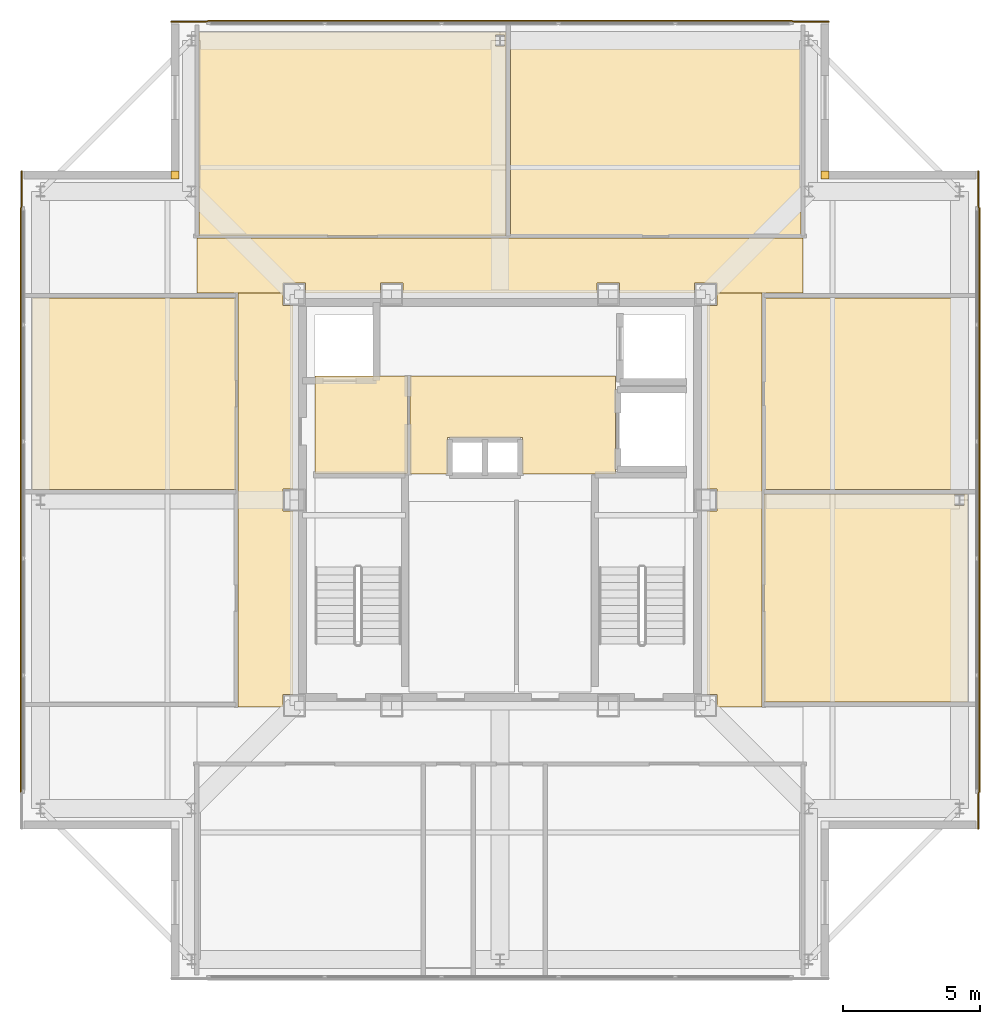
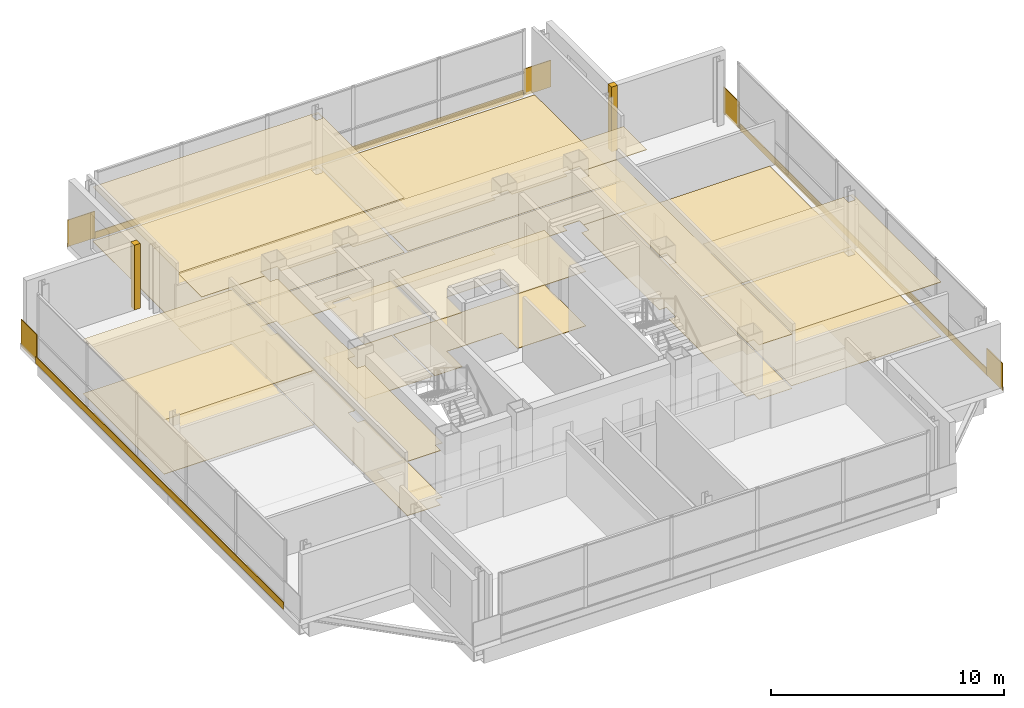
# One storey, part 12 of 12: 28 coverings.
"""IFC4 building model written with IfcOpenShell, lengths in metres."""

from ifc_helpers import new_model, si_unit, direction, frame, frame_2d, origin, place, context, subcontext, project, spatial, polyline, rectangle, outline, extrude, material, layer, layer_set, type_object, element, save


model = new_model("IFC4")

# Units and contexts
model_context = context("Model", 3, precision=1e-05, world=origin(), true_north=direction((0.0, 1.0)))
body_context = subcontext(model_context, "Body", "Model", "MODEL_VIEW")
ifc_project = project(units=[si_unit("LENGTHUNIT", "METRE"), si_unit("AREAUNIT", "SQUARE_METRE"), si_unit("VOLUMEUNIT", "CUBIC_METRE"), si_unit("PLANEANGLEUNIT", "RADIAN"), si_unit("MASSUNIT", "GRAM", prefix="KILO")], contexts=[model_context])

# Site, building, storey
site_placement = place(None, origin())
site = spatial("IfcSite", under=ifc_project, at=site_placement, CompositionType="ELEMENT")
building_placement = place(site_placement, origin())
building = spatial("IfcBuilding", under=site, at=building_placement, Name="Trevonay Congress Spire", CompositionType="ELEMENT")
storey_placement = place(building_placement, frame((0.0, 0.0, 304.60009765625)))
storey = spatial("IfcBuildingStorey", under=building, at=storey_placement, Name="L80", CompositionType="ELEMENT", Elevation=304.60009765625)

# Coverings
ifc_material_1 = material(Name="Acoustic Mineral Fibre Board", Category="gypsum")
ifc_layer_1 = layer(ifc_material_1, 0.02490234375, Name="Acoustic Mineral Fibre Board")
ifc_layer_set_1 = layer_set([ifc_layer_1], Name="Acoustic Mineral Fibre Board")
covering_type_1 = type_object("IfcCoveringType", Name="COV-CEIL-ACOUSTIC", PredefinedType="CEILING", material=ifc_layer_set_1)
covering_1_placement = place(storey_placement, frame((0.0, 0.0, 2.849853515625)))
element("IfcCovering", 1, at=covering_1_placement, inside=storey, type_object=covering_type_1, Name="L80 Firefighting Lift Lobby West acoustic suspended ceiling", PredefinedType="CEILING", context=body_context, shape_type="SweptSolid", body=[
    extrude(outline(polyline([(-6.75, 0.9599609375), (-3.3798828125, 0.9599609375), (-3.3798828125, 4.52001953125), (-6.75, 4.52001953125), (-6.75, 0.9599609375)])), origin(), (0.0, 0.0, 1.0), 0.025146484375),
])
covering_2_placement = place(storey_placement, frame((0.0, 0.0, 2.849853515625)))
element("IfcCovering", 2, at=covering_2_placement, inside=storey, type_object=covering_type_1, Name="L80 Central and High-Rise Passenger Lift Lobby acoustic suspended ceiling", PredefinedType="CEILING", context=body_context, shape_type="SweptSolid", body=[
    extrude(outline(polyline([(-3.280029296875, 0.949951171875), (-1.919921875, 0.949951171875), (-1.919921875, 2.280029296875), (0.820068359375, 2.280029296875), (0.820068359375, 0.949951171875), (4.219970703125, 0.949951171875), (4.219970703125, 4.52001953125), (-3.280029296875, 4.52001953125), (-3.280029296875, 0.949951171875)])), origin(), (0.0, 0.0, 1.0), 0.025146484375),
])
covering_3_placement = place(storey_placement, frame((0.0, 0.0, 2.849853515625)))
element("IfcCovering", 3, at=covering_3_placement, inside=storey, type_object=covering_type_1, Name="L80 Crown Gallery Corridor North acoustic suspended ceiling", PredefinedType="CEILING", context=body_context, shape_type="SweptSolid", body=[
    extrude(outline(polyline([(-11.050048828125, 7.550048828125), (-11.050048828125, 9.550048828125), (11.050048828125, 9.550048828125), (11.050048828125, 7.550048828125), (7.909912109375, 7.550048828125), (7.909912109375, 7.909912109375), (7.090087890625, 7.909912109375), (7.090087890625, 7.550048828125), (4.360107421875, 7.550048828125), (4.360107421875, 7.909912109375), (3.5400390625, 7.909912109375), (3.5400390625, 7.550048828125), (-3.5400390625, 7.550048828125), (-3.5400390625, 7.909912109375), (-4.360107421875, 7.909912109375), (-4.360107421875, 7.550048828125), (-7.090087890625, 7.550048828125), (-7.090087890625, 7.909912109375), (-7.909912109375, 7.909912109375), (-7.909912109375, 7.550048828125), (-11.050048828125, 7.550048828125)])), origin(), (0.0, 0.0, 1.0), 0.025146484375),
])
covering_4_placement = place(storey_placement, frame((0.0, 0.0, 2.849853515625)))
element("IfcCovering", 4, at=covering_4_placement, inside=storey, type_object=covering_type_1, Name="L80 Crown Gallery Corridor West acoustic suspended ceiling", PredefinedType="CEILING", context=body_context, shape_type="SweptSolid", body=[
    extrude(outline(polyline([(-9.550048828125, 7.550048828125), (-7.909912109375, 7.550048828125), (-7.909912109375, 7.090087890625), (-7.550048828125, 7.090087890625), (-7.550048828125, 0.409912109375), (-7.909912109375, 0.409912109375), (-7.909912109375, -0.409912109375), (-7.550048828125, -0.409912109375), (-7.550048828125, -7.090087890625), (-7.909912109375, -7.090087890625), (-7.909912109375, -7.550048828125), (-9.550048828125, -7.550048828125), (-9.550048828125, 7.550048828125)])), origin(), (0.0, 0.0, 1.0), 0.025146484375),
])
covering_5_placement = place(storey_placement, frame((0.0, 0.0, 2.849853515625)))
element("IfcCovering", 5, at=covering_5_placement, inside=storey, type_object=covering_type_1, Name="L80 Crown Gallery Corridor East acoustic suspended ceiling", PredefinedType="CEILING", context=body_context, shape_type="SweptSolid", body=[
    extrude(outline(polyline([(9.550048828125, -7.550048828125), (7.909912109375, -7.550048828125), (7.909912109375, -7.090087890625), (7.550048828125, -7.090087890625), (7.550048828125, -0.409912109375), (7.909912109375, -0.409912109375), (7.909912109375, 0.409912109375), (7.550048828125, 0.409912109375), (7.550048828125, 7.090087890625), (7.909912109375, 7.090087890625), (7.909912109375, 7.550048828125), (9.550048828125, 7.550048828125), (9.550048828125, -7.550048828125)])), origin(), (0.0, 0.0, 1.0), 0.025146484375),
])
covering_6_placement = place(storey_placement, frame((0.0, 0.0, 2.849853515625)))
element("IfcCovering", 6, at=covering_6_placement, inside=storey, type_object=covering_type_1, Name="L80 Sky Horizon Viewing Gallery acoustic suspended ceiling", PredefinedType="CEILING", context=body_context, shape_type="SweptSolid", body=[
    extrude(outline(polyline([(-10.969970703125, 17.050048828125), (0.219970703125, 17.050048828125), (0.219970703125, 9.6201171875), (-10.969970703125, 9.6201171875), (-10.969970703125, 17.050048828125)]), holes=[polyline([(0.1708984375, 16.553955078125), (0.1708984375, 16.946044921875), (-0.1708984375, 16.946044921875), (-0.1708984375, 16.553955078125), (0.1708984375, 16.553955078125)])]), origin(), (0.0, 0.0, 1.0), 0.025146484375),
])
covering_7_placement = place(storey_placement, frame((0.0, 0.0, 2.849853515625)))
element("IfcCovering", 7, at=covering_7_placement, inside=storey, type_object=covering_type_1, Name="L80 Catering Finishing Kitchen acoustic suspended ceiling", PredefinedType="CEILING", context=body_context, shape_type="SweptSolid", body=[
    extrude(outline(polyline([(-17.050048828125, 0.3798828125), (-9.6201171875, 0.3798828125), (-9.6201171875, 7.3701171875), (-17.050048828125, 7.3701171875), (-17.050048828125, 0.3798828125)])), origin(), (0.0, 0.0, 1.0), 0.025146484375),
])
covering_8_placement = place(storey_placement, frame((0.0, 0.0, 2.849853515625)))
element("IfcCovering", 8, at=covering_8_placement, inside=storey, type_object=covering_type_1, Name="L80 Private Observatory Dining Room acoustic suspended ceiling", PredefinedType="CEILING", context=body_context, shape_type="SweptSolid", body=[
    extrude(outline(polyline([(9.6201171875, 0.219970703125), (17.050048828125, 0.219970703125), (17.050048828125, -7.3701171875), (9.6201171875, -7.3701171875), (9.6201171875, 0.219970703125)]), holes=[polyline([(16.9208984375, -0.196044921875), (16.9208984375, 0.196044921875), (16.5791015625, 0.196044921875), (16.5791015625, -0.196044921875), (16.9208984375, -0.196044921875)])]), origin(), (0.0, 0.0, 1.0), 0.025146484375),
])
ifc_material_2 = material(Name="Polished Granite Floor Tile", Category="masonry")
ifc_layer_2 = layer(ifc_material_2, 0.02001953125, Name="Polished Granite Floor Tile")
ifc_layer_set_2 = layer_set([ifc_layer_2], Name="Polished Granite Floor Tile")
covering_type_2 = type_object("IfcCoveringType", Name="COV-FLOOR-STONE", PredefinedType="FLOORING", material=ifc_layer_set_2)
covering_9_placement = place(storey_placement, origin())
element("IfcCovering", 9, at=covering_9_placement, inside=storey, type_object=covering_type_2, Name="L80 Firefighting Lift Lobby West floor finish", PredefinedType="FLOORING", context=body_context, shape_type="SweptSolid", body=[
    extrude(outline(polyline([(-6.75, 0.9599609375), (-3.3798828125, 0.9599609375), (-3.3798828125, 4.52001953125), (-6.75, 4.52001953125), (-6.75, 0.9599609375)])), origin(), (0.0, 0.0, 1.0), 0.02001953125),
])
covering_10_placement = place(storey_placement, origin())
element("IfcCovering", 10, at=covering_10_placement, inside=storey, type_object=covering_type_2, Name="L80 Central and High-Rise Passenger Lift Lobby floor finish", PredefinedType="FLOORING", context=body_context, shape_type="SweptSolid", body=[
    extrude(outline(polyline([(-3.280029296875, 0.949951171875), (-1.919921875, 0.949951171875), (-1.919921875, 2.280029296875), (0.820068359375, 2.280029296875), (0.820068359375, 0.949951171875), (4.219970703125, 0.949951171875), (4.219970703125, 4.52001953125), (-3.280029296875, 4.52001953125), (-3.280029296875, 0.949951171875)])), origin(), (0.0, 0.0, 1.0), 0.02001953125),
])
covering_11_placement = place(storey_placement, origin())
element("IfcCovering", 11, at=covering_11_placement, inside=storey, type_object=covering_type_2, Name="L80 Crown Gallery Corridor North floor finish", PredefinedType="FLOORING", context=body_context, shape_type="SweptSolid", body=[
    extrude(outline(polyline([(-11.050048828125, 7.550048828125), (-11.050048828125, 9.550048828125), (11.050048828125, 9.550048828125), (11.050048828125, 7.550048828125), (7.909912109375, 7.550048828125), (7.909912109375, 7.909912109375), (7.090087890625, 7.909912109375), (7.090087890625, 7.550048828125), (4.360107421875, 7.550048828125), (4.360107421875, 7.909912109375), (3.5400390625, 7.909912109375), (3.5400390625, 7.550048828125), (-3.5400390625, 7.550048828125), (-3.5400390625, 7.909912109375), (-4.360107421875, 7.909912109375), (-4.360107421875, 7.550048828125), (-7.090087890625, 7.550048828125), (-7.090087890625, 7.909912109375), (-7.909912109375, 7.909912109375), (-7.909912109375, 7.550048828125), (-11.050048828125, 7.550048828125)])), origin(), (0.0, 0.0, 1.0), 0.02001953125),
])
covering_12_placement = place(storey_placement, origin())
element("IfcCovering", 12, at=covering_12_placement, inside=storey, type_object=covering_type_2, Name="L80 Crown Gallery Corridor West floor finish", PredefinedType="FLOORING", context=body_context, shape_type="SweptSolid", body=[
    extrude(outline(polyline([(-9.550048828125, 7.550048828125), (-7.909912109375, 7.550048828125), (-7.909912109375, 7.090087890625), (-7.550048828125, 7.090087890625), (-7.550048828125, 0.409912109375), (-7.909912109375, 0.409912109375), (-7.909912109375, -0.409912109375), (-7.550048828125, -0.409912109375), (-7.550048828125, -7.090087890625), (-7.909912109375, -7.090087890625), (-7.909912109375, -7.550048828125), (-9.550048828125, -7.550048828125), (-9.550048828125, 7.550048828125)])), origin(), (0.0, 0.0, 1.0), 0.02001953125),
])
covering_13_placement = place(storey_placement, origin())
element("IfcCovering", 13, at=covering_13_placement, inside=storey, type_object=covering_type_2, Name="L80 Crown Gallery Corridor East floor finish", PredefinedType="FLOORING", context=body_context, shape_type="SweptSolid", body=[
    extrude(outline(polyline([(9.550048828125, -7.550048828125), (7.909912109375, -7.550048828125), (7.909912109375, -7.090087890625), (7.550048828125, -7.090087890625), (7.550048828125, -0.409912109375), (7.909912109375, -0.409912109375), (7.909912109375, 0.409912109375), (7.550048828125, 0.409912109375), (7.550048828125, 7.090087890625), (7.909912109375, 7.090087890625), (7.909912109375, 7.550048828125), (9.550048828125, 7.550048828125), (9.550048828125, -7.550048828125)])), origin(), (0.0, 0.0, 1.0), 0.02001953125),
])
covering_14_placement = place(storey_placement, origin())
element("IfcCovering", 14, at=covering_14_placement, inside=storey, type_object=covering_type_2, Name="L80 Sky Horizon Viewing Gallery floor finish", PredefinedType="FLOORING", context=body_context, shape_type="SweptSolid", body=[
    extrude(outline(polyline([(-10.969970703125, 17.050048828125), (0.219970703125, 17.050048828125), (0.219970703125, 9.6201171875), (-10.969970703125, 9.6201171875), (-10.969970703125, 17.050048828125)]), holes=[polyline([(0.1708984375, 16.553955078125), (0.1708984375, 16.946044921875), (-0.1708984375, 16.946044921875), (-0.1708984375, 16.553955078125), (0.1708984375, 16.553955078125)])]), origin(), (0.0, 0.0, 1.0), 0.02001953125),
])
covering_15_placement = place(storey_placement, origin())
element("IfcCovering", 15, at=covering_15_placement, inside=storey, type_object=covering_type_2, Name="L80 Observatory Server Room floor finish", PredefinedType="FLOORING", context=body_context, shape_type="SweptSolid", body=[
    extrude(outline(polyline([(0.3798828125, 9.6201171875), (10.969970703125, 9.6201171875), (10.969970703125, 17.050048828125), (0.3798828125, 17.050048828125), (0.3798828125, 9.6201171875)])), origin(), (0.0, 0.0, 1.0), 0.02001953125),
])
covering_16_placement = place(storey_placement, origin())
element("IfcCovering", 16, at=covering_16_placement, inside=storey, type_object=covering_type_2, Name="L80 Catering Finishing Kitchen floor finish", PredefinedType="FLOORING", context=body_context, shape_type="SweptSolid", body=[
    extrude(outline(polyline([(-17.050048828125, 0.3798828125), (-9.6201171875, 0.3798828125), (-9.6201171875, 7.3701171875), (-17.050048828125, 7.3701171875), (-17.050048828125, 0.3798828125)])), origin(), (0.0, 0.0, 1.0), 0.02001953125),
])
covering_17_placement = place(storey_placement, origin())
element("IfcCovering", 17, at=covering_17_placement, inside=storey, type_object=covering_type_2, Name="L80 Private Observatory Dining Room floor finish", PredefinedType="FLOORING", context=body_context, shape_type="SweptSolid", body=[
    extrude(outline(polyline([(9.6201171875, 0.219970703125), (17.050048828125, 0.219970703125), (17.050048828125, -7.3701171875), (9.6201171875, -7.3701171875), (9.6201171875, 0.219970703125)]), holes=[polyline([(16.9208984375, -0.196044921875), (16.9208984375, 0.196044921875), (16.5791015625, 0.196044921875), (16.5791015625, -0.196044921875), (16.9208984375, -0.196044921875)])]), origin(), (0.0, 0.0, 1.0), 0.02001953125),
])
covering_18_placement = place(storey_placement, origin())
element("IfcCovering", 18, at=covering_18_placement, inside=storey, type_object=covering_type_2, Name="L80 Female Restroom WC floor finish", PredefinedType="FLOORING", context=body_context, shape_type="SweptSolid", body=[
    extrude(outline(polyline([(9.6201171875, 0.3798828125), (17.050048828125, 0.3798828125), (17.050048828125, 7.3701171875), (9.6201171875, 7.3701171875), (9.6201171875, 0.3798828125)])), origin(), (0.0, 0.0, 1.0), 0.02001953125),
])
ifc_material_3 = material(Name="Pale Anodised Aluminium EN AW-6063-T6", Category="aluminium")
ifc_layer_3 = layer(ifc_material_3, 0.0400390625, Name="Pale Anodised Aluminium EN AW-6063-T6")
ifc_layer_set_3 = layer_set([ifc_layer_3], Name="Pale Anodised Aluminium EN AW-6063-T6")
covering_type_3 = type_object("IfcCoveringType", Name="COV-SPANDREL-PALE-METAL", PredefinedType="CLADDING", material=ifc_layer_set_3)
for number, where, z_axis, x_axis, name in (
    (19, (-10.64990234375, 17.47998046875, -0.239990234375), (0.0, 0.0, 1.0), (1.0, 0.0, 0.0), "L80 N pale-metal slab-edge spandrel cladding"),
    (20, (-17.47998046875, -10.64990234375, -0.239990234375), (0.0, 0.0, 1.0), (0.0, 1.0, 0.0), "L80 W pale-metal slab-edge spandrel cladding"),
    (21, (17.47998046875, -10.64990234375, -0.239990234375), (0.0, 0.0, 1.0), (0.0, 1.0, 0.0), "L80 E pale-metal slab-edge spandrel cladding"),
):
    element("IfcCovering", number, at=place(storey_placement, frame(where, z_axis=z_axis, x_axis=x_axis)), inside=storey, type_object=covering_type_3, Name=name, PredefinedType="CLADDING", context=body_context, shape_type="SweptSolid", body=[
        extrude(rectangle(XDim=21.2998046875, YDim=0.0400390625, at=frame_2d((10.64990234375, 0.0))), origin(), (0.0, 0.0, 1.0), 0.35986328125),
    ])
covering_19_placement = place(storey_placement, frame((17.43994140625, -10.64990234375, -0.150146484375), z_axis=(0.0, 0.0, 1.0), x_axis=(0.0, -1.0, 0.0)))
element("IfcCovering", 22, at=covering_19_placement, inside=storey, type_object=covering_type_3, Name="L80 SE corner pier spandrel cladding 1", PredefinedType="CLADDING", context=body_context, shape_type="SweptSolid", body=[
    extrude(rectangle(XDim=1.35009765625, YDim=0.0400390625, at=frame_2d((0.675048828125, 0.0))), origin(), (0.0, 0.0, 1.0), 1.400146484375),
])
covering_20_placement = place(storey_placement, origin())
element("IfcCovering", 23, at=covering_20_placement, inside=storey, type_object=covering_type_3, Name="L80 NE re-entrant notch corner closure trim", PredefinedType="CLADDING", context=body_context, shape_type="SweptSolid", body=[
    extrude(outline(polyline([(11.699951171875, 11.699951171875), (12.0, 11.699951171875), (12.0, 12.0), (11.699951171875, 12.0), (11.699951171875, 11.699951171875)])), origin(), (0.0, 0.0, 1.0), 3.39990234375),
])
for number, where, z_axis, x_axis, name in (
    (24, (17.43994140625, 10.64990234375, -0.150146484375), (0.0, 0.0, 1.0), (0.0, 1.0, 0.0), "L80 NE corner pier spandrel cladding 1"),
    (25, (10.64990234375, 17.43994140625, -0.150146484375), (0.0, 0.0, 1.0), (1.0, 0.0, 0.0), "L80 NE corner pier spandrel cladding 2"),
):
    element("IfcCovering", number, at=place(storey_placement, frame(where, z_axis=z_axis, x_axis=x_axis)), inside=storey, type_object=covering_type_3, Name=name, PredefinedType="CLADDING", context=body_context, shape_type="SweptSolid", body=[
        extrude(rectangle(XDim=1.35009765625, YDim=0.0400390625, at=frame_2d((0.675048828125, 0.0))), origin(), (0.0, 0.0, 1.0), 1.400146484375),
    ])
covering_21_placement = place(storey_placement, origin())
element("IfcCovering", 26, at=covering_21_placement, inside=storey, type_object=covering_type_3, Name="L80 NW re-entrant notch corner closure trim", PredefinedType="CLADDING", context=body_context, shape_type="SweptSolid", body=[
    extrude(outline(polyline([(-12.0, 11.699951171875), (-11.699951171875, 11.699951171875), (-11.699951171875, 12.0), (-12.0, 12.0), (-12.0, 11.699951171875)])), origin(), (0.0, 0.0, 1.0), 3.39990234375),
])
for number, where, z_axis, x_axis, name in (
    (27, (-17.43994140625, 10.64990234375, -0.150146484375), (0.0, 0.0, 1.0), (0.0, 1.0, 0.0), "L80 NW corner pier spandrel cladding 1"),
    (28, (-10.64990234375, 17.43994140625, -0.150146484375), (0.0, 0.0, 1.0), (-1.0, 0.0, 0.0), "L80 NW corner pier spandrel cladding 2"),
):
    element("IfcCovering", number, at=place(storey_placement, frame(where, z_axis=z_axis, x_axis=x_axis)), inside=storey, type_object=covering_type_3, Name=name, PredefinedType="CLADDING", context=body_context, shape_type="SweptSolid", body=[
        extrude(rectangle(XDim=1.35009765625, YDim=0.0400390625, at=frame_2d((0.675048828125, 0.0))), origin(), (0.0, 0.0, 1.0), 1.400146484375),
    ])

save(model, "model.ifc")
